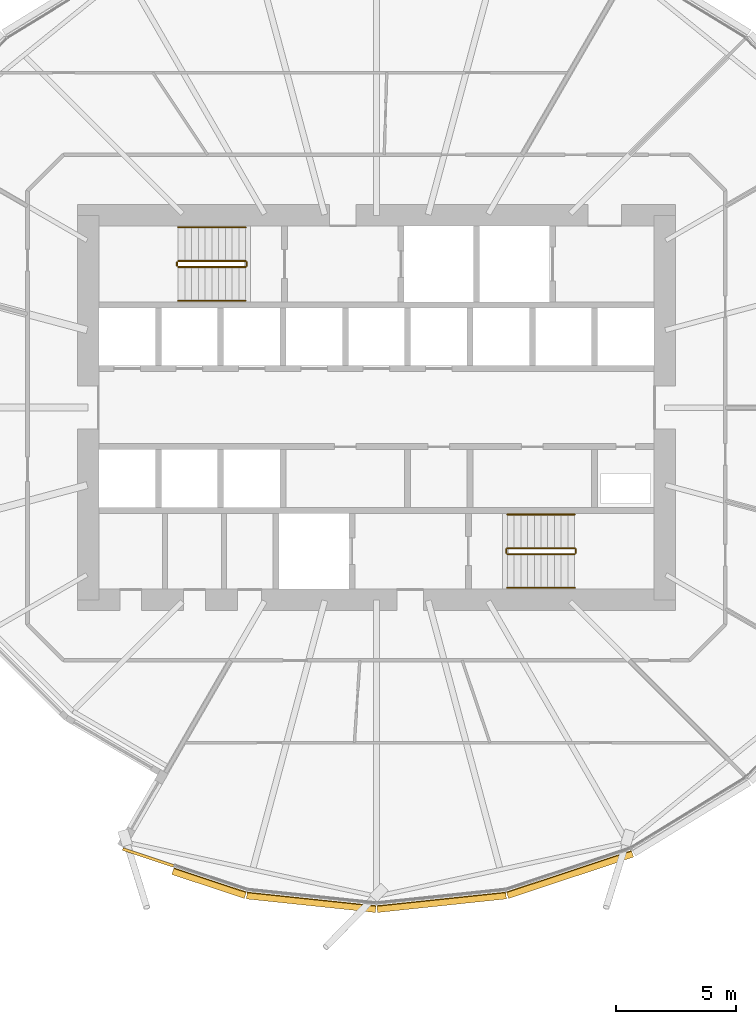
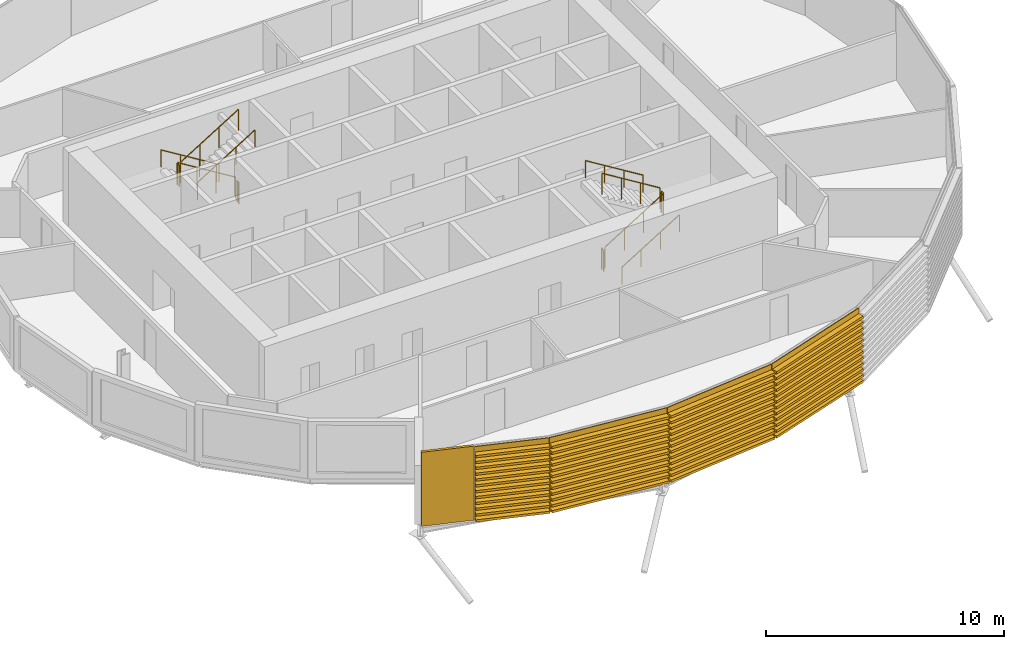
# One storey, part 33 of 37: 12 railings, 5 coverings.
"""IFC4 building model written with IfcOpenShell, lengths in metres."""

from ifc_helpers import new_model, si_unit, direction, frame, origin, origin_2d, place, context, subcontext, project, spatial, polyline, circle, outline, extrude, material, layer, layer_set, material_profile, profile_set, type_object, element, save


model = new_model("IFC4")

# Units and contexts
model_context = context("Model", 3, precision=1e-05, world=origin(), true_north=direction((0.0, 1.0)))
body_context = subcontext(model_context, "Body", "Model", "MODEL_VIEW")
ifc_project = project(units=[si_unit("LENGTHUNIT", "METRE"), si_unit("AREAUNIT", "SQUARE_METRE"), si_unit("VOLUMEUNIT", "CUBIC_METRE"), si_unit("PLANEANGLEUNIT", "RADIAN"), si_unit("MASSUNIT", "GRAM", prefix="KILO")], contexts=[model_context])

# Site, building, storey
site_placement = place(None, origin())
site = spatial("IfcSite", under=ifc_project, at=site_placement, CompositionType="ELEMENT")
building_placement = place(site_placement, origin())
building = spatial("IfcBuilding", under=site, at=building_placement, Name="Rimbun Link Towers", CompositionType="ELEMENT")
storey_placement = place(building_placement, frame((0.0, 0.0, 60.39990234375)))
storey = spatial("IfcBuildingStorey", under=building, at=storey_placement, Name="L14", CompositionType="ELEMENT", Elevation=60.39990234375)

# Covering
ifc_material_1 = material(Name="Terracotta", Category="masonry")
ifc_layer = layer(ifc_material_1, 0.1201171875)
ifc_layer_set = layer_set([ifc_layer], Name="LINK PIER terracotta cladding 120")
covering_type_1 = type_object("IfcCoveringType", Name="LINK PIER terracotta cladding 120", PredefinedType="CLADDING", material=ifc_layer_set)
covering_1_placement = place(storey_placement, origin())
element("IfcCovering", 1, at=covering_1_placement, inside=storey, type_object=covering_type_1, Name="LINK PIER cladding", PredefinedType="CLADDING", context=body_context, shape_type="SweptSolid", body=[
    extrude(outline(polyline([(-40.166259765625, -19.0234375), (-42.29248046875, -18.31884765625), (-42.330322265625, -18.432861328125), (-40.2041015625, -19.137451171875), (-40.166259765625, -19.0234375)])), origin(), (0.0, 0.0, 1.0), 3.800048828125),
])

# Railings
ifc_material_2 = material(Name="Stainless steel grade 316", Category="steel")
railing_type_1 = type_object("IfcRailingType", Name="Stair guard", PredefinedType="GUARDRAIL", material=ifc_material_2)
railing_1_placement = place(storey_placement, frame((-37.199951171875, 6.10009765625, 0.1728515625)))
element("IfcRailing", 2, at=railing_1_placement, inside=storey, type_object=railing_type_1, Name="L14 ST1 stair guard 1", PredefinedType="GUARDRAIL", context=body_context, shape_type="SweptSolid", body=[
    extrude(circle(Radius=0.02392578125, at=origin_2d()), frame((0.0, 0.0, 1.076171875), z_axis=(-0.851089632645, 0.0, 0.525020415988), x_axis=(0.0, -1.0, 0.0)), (0.0, 0.0, 1.0), 3.2900390625),
    extrude(circle(Radius=0.02099609375, at=origin_2d()), origin(), (0.0, 0.0, 1.0), 1.052001953125),
    extrude(circle(Radius=0.02099609375, at=origin_2d()), frame((-0.933349609375, 0.0, 0.57568359375)), (0.0, 0.0, 1.0), 1.052001953125),
    extrude(circle(Radius=0.02099609375, at=origin_2d()), frame((-1.86669921875, 0.0, 1.151611328125)), (0.0, 0.0, 1.0), 1.052001953125),
    extrude(circle(Radius=0.02099609375, at=origin_2d()), frame((-2.800048828125, 0.0, 1.727294921875)), (0.0, 0.0, 1.0), 1.052001953125),
])
railing_2_placement = place(storey_placement, frame((-40.050048828125, 6.050048828125, 1.900146484375)))
element("IfcRailing", 3, at=railing_2_placement, inside=storey, type_object=railing_type_1, Name="L14 ST1 stair guard 2", PredefinedType="GUARDRAIL", context=body_context, shape_type="SweptSolid", body=[
    extrude(circle(Radius=0.02392578125, at=origin_2d()), frame((0.0, 0.0, 1.076171875), z_axis=(0.0, -1.0, 0.0), x_axis=(1.0, 0.0, 0.0)), (0.0, 0.0, 1.0), 0.150146484375),
    extrude(circle(Radius=0.02099609375, at=origin_2d()), origin(), (0.0, 0.0, 1.0), 1.052001953125),
    extrude(circle(Radius=0.02099609375, at=origin_2d()), frame((0.0, -0.150146484375, 0.0)), (0.0, 0.0, 1.0), 1.052001953125),
])
railing_3_placement = place(storey_placement, frame((-40.0, 5.85009765625, 2.07275390625)))
element("IfcRailing", 4, at=railing_3_placement, inside=storey, type_object=railing_type_1, Name="L14 ST1 stair guard 3", PredefinedType="GUARDRAIL", context=body_context, shape_type="SweptSolid", body=[
    extrude(circle(Radius=0.02392578125, at=origin_2d()), frame((0.0, 0.0, 1.076171875), z_axis=(0.851089632645, 0.0, 0.525020415988), x_axis=(0.0, 1.0, 0.0)), (0.0, 0.0, 1.0), 3.2900390625),
    extrude(circle(Radius=0.02099609375, at=origin_2d()), origin(), (0.0, 0.0, 1.0), 1.052001953125),
    extrude(circle(Radius=0.02099609375, at=origin_2d()), frame((0.933349609375, 0.0, 0.57568359375)), (0.0, 0.0, 1.0), 1.052001953125),
    extrude(circle(Radius=0.02099609375, at=origin_2d()), frame((1.86669921875, 0.0, 1.151611328125)), (0.0, 0.0, 1.0), 1.052001953125),
    extrude(circle(Radius=0.02099609375, at=origin_2d()), frame((2.800048828125, 0.0, 1.727294921875)), (0.0, 0.0, 1.0), 1.052001953125),
])
railing_4_placement = place(storey_placement, frame((-37.14990234375, 6.050048828125, 0.0)))
element("IfcRailing", 5, at=railing_4_placement, inside=storey, type_object=railing_type_1, Name="L14 ST1 stair guard 4", PredefinedType="GUARDRAIL", context=body_context, shape_type="SweptSolid", body=[
    extrude(circle(Radius=0.02392578125, at=origin_2d()), frame((0.0, 0.0, 1.076171875), z_axis=(0.0, -1.0, 0.0), x_axis=(1.0, 0.0, 0.0)), (0.0, 0.0, 1.0), 0.150146484375),
    extrude(circle(Radius=0.02099609375, at=origin_2d()), origin(), (0.0, 0.0, 1.0), 1.052001953125),
    extrude(circle(Radius=0.02099609375, at=origin_2d()), frame((0.0, -0.150146484375, 0.0)), (0.0, 0.0, 1.0), 1.052001953125),
])
railing_5_placement = place(storey_placement, frame((-26.300048828125, -6.10009765625, 0.1728515625)))
element("IfcRailing", 6, at=railing_5_placement, inside=storey, type_object=railing_type_1, Name="L14 ST2 stair guard 1", PredefinedType="GUARDRAIL", context=body_context, shape_type="SweptSolid", body=[
    extrude(circle(Radius=0.02392578125, at=origin_2d()), frame((0.0, 0.0, 1.076171875), z_axis=(0.851089632645, 0.0, 0.525020415988), x_axis=(0.0, 1.0, 0.0)), (0.0, 0.0, 1.0), 3.2900390625),
    extrude(circle(Radius=0.02099609375, at=origin_2d()), origin(), (0.0, 0.0, 1.0), 1.052001953125),
    extrude(circle(Radius=0.02099609375, at=origin_2d()), frame((0.933349609375, 0.0, 0.57568359375)), (0.0, 0.0, 1.0), 1.052001953125),
    extrude(circle(Radius=0.02099609375, at=origin_2d()), frame((1.86669921875, 0.0, 1.151611328125)), (0.0, 0.0, 1.0), 1.052001953125),
    extrude(circle(Radius=0.02099609375, at=origin_2d()), frame((2.800048828125, 0.0, 1.727294921875)), (0.0, 0.0, 1.0), 1.052001953125),
])
railing_6_placement = place(storey_placement, frame((-23.449951171875, -6.050048828125, 1.900146484375)))
element("IfcRailing", 7, at=railing_6_placement, inside=storey, type_object=railing_type_1, Name="L14 ST2 stair guard 2", PredefinedType="GUARDRAIL", context=body_context, shape_type="SweptSolid", body=[
    extrude(circle(Radius=0.02392578125, at=origin_2d()), frame((0.0, 0.0, 1.076171875), z_axis=(0.0, 1.0, 0.0), x_axis=(-1.0, 0.0, 0.0)), (0.0, 0.0, 1.0), 0.150146484375),
    extrude(circle(Radius=0.02099609375, at=origin_2d()), origin(), (0.0, 0.0, 1.0), 1.052001953125),
    extrude(circle(Radius=0.02099609375, at=origin_2d()), frame((0.0, 0.150146484375, 0.0)), (0.0, 0.0, 1.0), 1.052001953125),
])
railing_7_placement = place(storey_placement, frame((-23.5, -5.85009765625, 2.07275390625)))
element("IfcRailing", 8, at=railing_7_placement, inside=storey, type_object=railing_type_1, Name="L14 ST2 stair guard 3", PredefinedType="GUARDRAIL", context=body_context, shape_type="SweptSolid", body=[
    extrude(circle(Radius=0.02392578125, at=origin_2d()), frame((0.0, 0.0, 1.076171875), z_axis=(-0.851089632645, 0.0, 0.525020415988), x_axis=(0.0, -1.0, 0.0)), (0.0, 0.0, 1.0), 3.2900390625),
    extrude(circle(Radius=0.02099609375, at=origin_2d()), origin(), (0.0, 0.0, 1.0), 1.052001953125),
    extrude(circle(Radius=0.02099609375, at=origin_2d()), frame((-0.933349609375, 0.0, 0.57568359375)), (0.0, 0.0, 1.0), 1.052001953125),
    extrude(circle(Radius=0.02099609375, at=origin_2d()), frame((-1.86669921875, 0.0, 1.151611328125)), (0.0, 0.0, 1.0), 1.052001953125),
    extrude(circle(Radius=0.02099609375, at=origin_2d()), frame((-2.800048828125, 0.0, 1.727294921875)), (0.0, 0.0, 1.0), 1.052001953125),
])
railing_8_placement = place(storey_placement, frame((-26.35009765625, -6.050048828125, 0.0)))
element("IfcRailing", 9, at=railing_8_placement, inside=storey, type_object=railing_type_1, Name="L14 ST2 stair guard 4", PredefinedType="GUARDRAIL", context=body_context, shape_type="SweptSolid", body=[
    extrude(circle(Radius=0.02392578125, at=origin_2d()), frame((0.0, 0.0, 1.076171875), z_axis=(0.0, 1.0, 0.0), x_axis=(-1.0, 0.0, 0.0)), (0.0, 0.0, 1.0), 0.150146484375),
    extrude(circle(Radius=0.02099609375, at=origin_2d()), origin(), (0.0, 0.0, 1.0), 1.052001953125),
    extrude(circle(Radius=0.02099609375, at=origin_2d()), frame((0.0, 0.150146484375, 0.0)), (0.0, 0.0, 1.0), 1.052001953125),
])
ifc_material_3 = material(Name="Stainless steel grade 316", Category="steel")
railing_type_2 = type_object("IfcRailingType", Name="Stair handrail", PredefinedType="HANDRAIL", material=ifc_material_3)
railing_9_placement = place(storey_placement, frame((-37.199951171875, 7.5, 0.1728515625)))
element("IfcRailing", 10, at=railing_9_placement, inside=storey, type_object=railing_type_2, Name="L14 ST1 stair handrail 1", PredefinedType="HANDRAIL", context=body_context, shape_type="SweptSolid", body=[
    extrude(circle(Radius=0.02392578125, at=origin_2d()), frame((0.0, 0.0, 0.8759765625), z_axis=(-0.851089632645, 0.0, 0.525020415988), x_axis=(0.0, -1.0, 0.0)), (0.0, 0.0, 1.0), 3.2900390625),
    extrude(circle(Radius=0.02099609375, at=origin_2d()), origin(), (0.0, 0.0, 1.0), 0.851806640625),
    extrude(circle(Radius=0.02099609375, at=origin_2d()), frame((-0.933349609375, 0.0, 0.57568359375)), (0.0, 0.0, 1.0), 0.851806640625),
    extrude(circle(Radius=0.02099609375, at=origin_2d()), frame((-1.86669921875, 0.0, 1.151611328125)), (0.0, 0.0, 1.0), 0.851806640625),
    extrude(circle(Radius=0.02099609375, at=origin_2d()), frame((-2.800048828125, 0.0, 1.727294921875)), (0.0, 0.0, 1.0), 0.851806640625),
])
for number, where, name in (
    (11, (-40.0, 4.449951171875, 2.07275390625), "L14 ST1 stair handrail 2"),
    (12, (-26.300048828125, -7.5, 0.1728515625), "L14 ST2 stair handrail 1"),
):
    element("IfcRailing", number, at=place(storey_placement, frame(where)), inside=storey, type_object=railing_type_2, Name=name, PredefinedType="HANDRAIL", context=body_context, shape_type="SweptSolid", body=[
        extrude(circle(Radius=0.02392578125, at=origin_2d()), frame((0.0, 0.0, 0.8759765625), z_axis=(0.851089632645, 0.0, 0.525020415988), x_axis=(0.0, 1.0, 0.0)), (0.0, 0.0, 1.0), 3.2900390625),
        extrude(circle(Radius=0.02099609375, at=origin_2d()), origin(), (0.0, 0.0, 1.0), 0.851806640625),
        extrude(circle(Radius=0.02099609375, at=origin_2d()), frame((0.933349609375, 0.0, 0.57568359375)), (0.0, 0.0, 1.0), 0.851806640625),
        extrude(circle(Radius=0.02099609375, at=origin_2d()), frame((1.86669921875, 0.0, 1.151611328125)), (0.0, 0.0, 1.0), 0.851806640625),
        extrude(circle(Radius=0.02099609375, at=origin_2d()), frame((2.800048828125, 0.0, 1.727294921875)), (0.0, 0.0, 1.0), 0.851806640625),
    ])
railing_10_placement = place(storey_placement, frame((-23.5, -4.449951171875, 2.07275390625)))
element("IfcRailing", 13, at=railing_10_placement, inside=storey, type_object=railing_type_2, Name="L14 ST2 stair handrail 2", PredefinedType="HANDRAIL", context=body_context, shape_type="SweptSolid", body=[
    extrude(circle(Radius=0.02392578125, at=origin_2d()), frame((0.0, 0.0, 0.8759765625), z_axis=(-0.851089632645, 0.0, 0.525020415988), x_axis=(0.0, -1.0, 0.0)), (0.0, 0.0, 1.0), 3.2900390625),
    extrude(circle(Radius=0.02099609375, at=origin_2d()), origin(), (0.0, 0.0, 1.0), 0.851806640625),
    extrude(circle(Radius=0.02099609375, at=origin_2d()), frame((-0.933349609375, 0.0, 0.57568359375)), (0.0, 0.0, 1.0), 0.851806640625),
    extrude(circle(Radius=0.02099609375, at=origin_2d()), frame((-1.86669921875, 0.0, 1.151611328125)), (0.0, 0.0, 1.0), 0.851806640625),
    extrude(circle(Radius=0.02099609375, at=origin_2d()), frame((-2.800048828125, 0.0, 1.727294921875)), (0.0, 0.0, 1.0), 0.851806640625),
])

# Coverings
ifc_material_4 = material(Name="Terracotta", Category="masonry")
ifc_material_profile = material_profile(ifc_material_4, outline(polyline([(0.123046875, 0.0), (0.1630859375, 0.0), (0.1630859375, 0.10009765625), (0.423095703125, 0.10009765625), (0.423095703125, 0.219970703125), (0.1630859375, 0.219970703125), (0.1630859375, 0.39990234375), (0.423095703125, 0.39990234375), (0.423095703125, 0.52001953125), (0.1630859375, 0.52001953125), (0.1630859375, 0.699951171875), (0.423095703125, 0.699951171875), (0.423095703125, 0.820068359375), (0.1630859375, 0.820068359375), (0.1630859375, 1.0), (0.423095703125, 1.0), (0.423095703125, 1.1201171875), (0.1630859375, 1.1201171875), (0.1630859375, 1.300048828125), (0.423095703125, 1.300048828125), (0.423095703125, 1.419921875), (0.1630859375, 1.419921875), (0.1630859375, 1.60009765625), (0.423095703125, 1.60009765625), (0.423095703125, 1.719970703125), (0.1630859375, 1.719970703125), (0.1630859375, 1.89990234375), (0.423095703125, 1.89990234375), (0.423095703125, 2.02001953125), (0.1630859375, 2.02001953125), (0.1630859375, 2.199951171875), (0.423095703125, 2.199951171875), (0.423095703125, 2.320068359375), (0.1630859375, 2.320068359375), (0.1630859375, 2.5), (0.423095703125, 2.5), (0.423095703125, 2.6201171875), (0.1630859375, 2.6201171875), (0.1630859375, 2.800048828125), (0.423095703125, 2.800048828125), (0.423095703125, 2.919921875), (0.1630859375, 2.919921875), (0.1630859375, 3.10009765625), (0.423095703125, 3.10009765625), (0.423095703125, 3.219970703125), (0.1630859375, 3.219970703125), (0.1630859375, 3.39990234375), (0.423095703125, 3.39990234375), (0.423095703125, 3.52001953125), (0.1630859375, 3.52001953125), (0.1630859375, 3.800048828125), (0.123046875, 3.800048828125), (0.123046875, 0.0)])), Name="BAGUETTE 120X300")
ifc_profile_set = profile_set([ifc_material_profile], Name="Terracotta")
covering_type_2 = type_object("IfcCoveringType", Name="TERRACOTTA BAGUETTE 120X300 H3800", PredefinedType="CLADDING", material=ifc_profile_set)
covering_2_placement = place(storey_placement, frame((-37.117919921875, -20.03369140625, 0.0), z_axis=(-0.949234399567, 0.314569634071, 0.0), x_axis=(-0.314569634071, -0.949234399567, 0.0)))
element("IfcCovering", 14, at=covering_2_placement, inside=storey, type_object=covering_type_2, Name="TERRACOTTA BAGUETTE", PredefinedType="CLADDING", context=body_context, shape_type="SweptSolid", body=[
    extrude(outline(polyline([(0.123046875, 0.0), (0.1630859375, 0.0), (0.1630859375, 0.10009765625), (0.423095703125, 0.10009765625), (0.423095703125, 0.219970703125), (0.1630859375, 0.219970703125), (0.1630859375, 0.39990234375), (0.423095703125, 0.39990234375), (0.423095703125, 0.52001953125), (0.1630859375, 0.52001953125), (0.1630859375, 0.699951171875), (0.423095703125, 0.699951171875), (0.423095703125, 0.820068359375), (0.1630859375, 0.820068359375), (0.1630859375, 1.0), (0.423095703125, 1.0), (0.423095703125, 1.1201171875), (0.1630859375, 1.1201171875), (0.1630859375, 1.300048828125), (0.423095703125, 1.300048828125), (0.423095703125, 1.419921875), (0.1630859375, 1.419921875), (0.1630859375, 1.60009765625), (0.423095703125, 1.60009765625), (0.423095703125, 1.719970703125), (0.1630859375, 1.719970703125), (0.1630859375, 1.89990234375), (0.423095703125, 1.89990234375), (0.423095703125, 2.02001953125), (0.1630859375, 2.02001953125), (0.1630859375, 2.199951171875), (0.423095703125, 2.199951171875), (0.423095703125, 2.320068359375), (0.1630859375, 2.320068359375), (0.1630859375, 2.5), (0.423095703125, 2.5), (0.423095703125, 2.6201171875), (0.1630859375, 2.6201171875), (0.1630859375, 2.800048828125), (0.423095703125, 2.800048828125), (0.423095703125, 2.919921875), (0.1630859375, 2.919921875), (0.1630859375, 3.10009765625), (0.423095703125, 3.10009765625), (0.423095703125, 3.219970703125), (0.1630859375, 3.219970703125), (0.1630859375, 3.39990234375), (0.423095703125, 3.39990234375), (0.423095703125, 3.52001953125), (0.1630859375, 3.52001953125), (0.1630859375, 3.800048828125), (0.123046875, 3.800048828125), (0.123046875, 0.0)])), origin(), (0.0, 0.0, 1.0), 3.181396484375),
])
for number, where, z_axis, x_axis, name in (
    (15, (-31.75, -20.59912109375, 0.0), (-0.99449801515, 0.104755419252, 0.0), (-0.104755419252, -0.99449801515, 0.0), "TERRACOTTA BAGUETTE"),
    (16, (-26.382080078125, -20.03369140625, 0.0), (-0.99449801515, -0.104755419252, 0.0), (0.104755419252, -0.99449801515, 0.0), "TERRACOTTA BAGUETTE"),
):
    element("IfcCovering", number, at=place(storey_placement, frame(where, z_axis=z_axis, x_axis=x_axis)), inside=storey, type_object=covering_type_2, Name=name, PredefinedType="CLADDING", context=body_context, shape_type="SweptSolid", body=[
        extrude(outline(polyline([(0.123046875, 0.0), (0.1630859375, 0.0), (0.1630859375, 0.10009765625), (0.423095703125, 0.10009765625), (0.423095703125, 0.219970703125), (0.1630859375, 0.219970703125), (0.1630859375, 0.39990234375), (0.423095703125, 0.39990234375), (0.423095703125, 0.52001953125), (0.1630859375, 0.52001953125), (0.1630859375, 0.699951171875), (0.423095703125, 0.699951171875), (0.423095703125, 0.820068359375), (0.1630859375, 0.820068359375), (0.1630859375, 1.0), (0.423095703125, 1.0), (0.423095703125, 1.1201171875), (0.1630859375, 1.1201171875), (0.1630859375, 1.300048828125), (0.423095703125, 1.300048828125), (0.423095703125, 1.419921875), (0.1630859375, 1.419921875), (0.1630859375, 1.60009765625), (0.423095703125, 1.60009765625), (0.423095703125, 1.719970703125), (0.1630859375, 1.719970703125), (0.1630859375, 1.89990234375), (0.423095703125, 1.89990234375), (0.423095703125, 2.02001953125), (0.1630859375, 2.02001953125), (0.1630859375, 2.199951171875), (0.423095703125, 2.199951171875), (0.423095703125, 2.320068359375), (0.1630859375, 2.320068359375), (0.1630859375, 2.5), (0.423095703125, 2.5), (0.423095703125, 2.6201171875), (0.1630859375, 2.6201171875), (0.1630859375, 2.800048828125), (0.423095703125, 2.800048828125), (0.423095703125, 2.919921875), (0.1630859375, 2.919921875), (0.1630859375, 3.10009765625), (0.423095703125, 3.10009765625), (0.423095703125, 3.219970703125), (0.1630859375, 3.219970703125), (0.1630859375, 3.39990234375), (0.423095703125, 3.39990234375), (0.423095703125, 3.52001953125), (0.1630859375, 3.52001953125), (0.1630859375, 3.800048828125), (0.123046875, 3.800048828125), (0.123046875, 0.0)])), origin(), (0.0, 0.0, 1.0), 5.397705078125),
    ])
covering_3_placement = place(storey_placement, frame((-21.178955078125, -18.3095703125, 0.0), z_axis=(-0.949243011952, -0.314543644445, 0.0), x_axis=(0.314543644445, -0.949243011952, 0.0)))
element("IfcCovering", 17, at=covering_3_placement, inside=storey, type_object=covering_type_2, Name="TERRACOTTA BAGUETTE", PredefinedType="CLADDING", context=body_context, shape_type="SweptSolid", body=[
    extrude(outline(polyline([(0.123046875, 0.0), (0.1630859375, 0.0), (0.1630859375, 0.10009765625), (0.423095703125, 0.10009765625), (0.423095703125, 0.219970703125), (0.1630859375, 0.219970703125), (0.1630859375, 0.39990234375), (0.423095703125, 0.39990234375), (0.423095703125, 0.52001953125), (0.1630859375, 0.52001953125), (0.1630859375, 0.699951171875), (0.423095703125, 0.699951171875), (0.423095703125, 0.820068359375), (0.1630859375, 0.820068359375), (0.1630859375, 1.0), (0.423095703125, 1.0), (0.423095703125, 1.1201171875), (0.1630859375, 1.1201171875), (0.1630859375, 1.300048828125), (0.423095703125, 1.300048828125), (0.423095703125, 1.419921875), (0.1630859375, 1.419921875), (0.1630859375, 1.60009765625), (0.423095703125, 1.60009765625), (0.423095703125, 1.719970703125), (0.1630859375, 1.719970703125), (0.1630859375, 1.89990234375), (0.423095703125, 1.89990234375), (0.423095703125, 2.02001953125), (0.1630859375, 2.02001953125), (0.1630859375, 2.199951171875), (0.423095703125, 2.199951171875), (0.423095703125, 2.320068359375), (0.1630859375, 2.320068359375), (0.1630859375, 2.5), (0.423095703125, 2.5), (0.423095703125, 2.6201171875), (0.1630859375, 2.6201171875), (0.1630859375, 2.800048828125), (0.423095703125, 2.800048828125), (0.423095703125, 2.919921875), (0.1630859375, 2.919921875), (0.1630859375, 3.10009765625), (0.423095703125, 3.10009765625), (0.423095703125, 3.219970703125), (0.1630859375, 3.219970703125), (0.1630859375, 3.39990234375), (0.423095703125, 3.39990234375), (0.423095703125, 3.52001953125), (0.1630859375, 3.52001953125), (0.1630859375, 3.800048828125), (0.123046875, 3.800048828125), (0.123046875, 0.0)])), origin(), (0.0, 0.0, 1.0), 5.4814453125),
])

save(model, "model.ifc")
